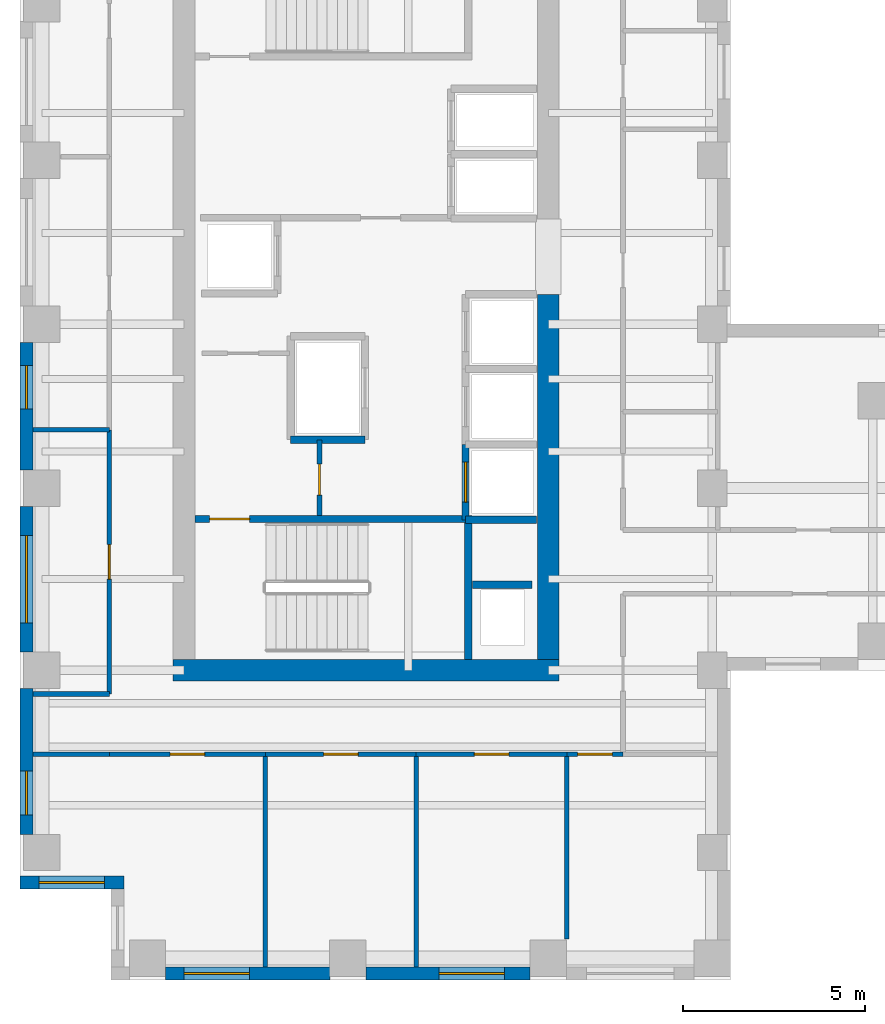
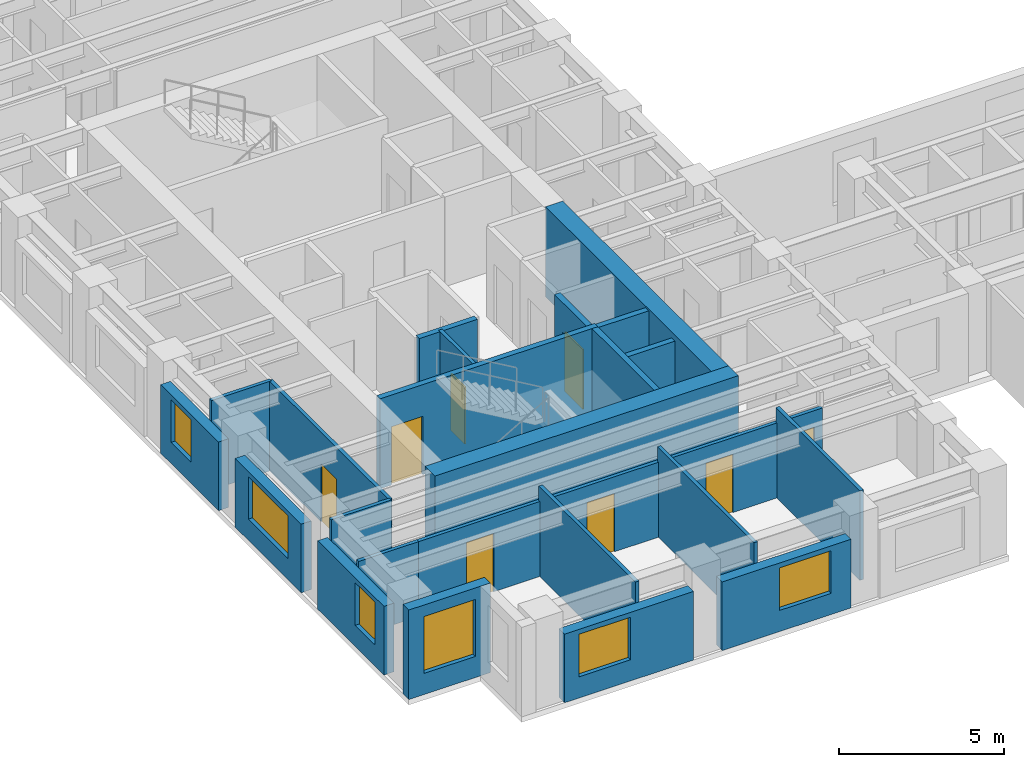
# One storey, part 4 of 12: 26 walls, 8 doors, 6 windows, 14 openings.
"""IFC4 building model written with IfcOpenShell, lengths in metres."""

from ifc_helpers import new_model, si_unit, direction, frame, frame_2d, origin, place, context, subcontext, project, spatial, rectangle, extrude, source, transform, mapped, material, layer, layer_set, type_object, element, fill, save


model = new_model("IFC4")

# Units and contexts
model_context = context("Model", 3, precision=1e-05, world=origin(), true_north=direction((0.0, 1.0)))
body_context = subcontext(model_context, "Body", "Model", "MODEL_VIEW")
ifc_project = project(units=[si_unit("LENGTHUNIT", "METRE"), si_unit("AREAUNIT", "SQUARE_METRE"), si_unit("VOLUMEUNIT", "CUBIC_METRE"), si_unit("PLANEANGLEUNIT", "RADIAN"), si_unit("MASSUNIT", "GRAM", prefix="KILO")], contexts=[model_context])

# Site, building, storey
site_placement = place(None, origin())
site = spatial("IfcSite", under=ifc_project, at=site_placement, CompositionType="ELEMENT")
building_placement = place(site_placement, origin())
building = spatial("IfcBuilding", under=site, at=building_placement, Name="Kharzan Plaza Tower", CompositionType="ELEMENT")
storey_placement = place(building_placement, frame((0.0, 0.0, 204.300048828125)))
storey = spatial("IfcBuildingStorey", under=building, at=storey_placement, Name="L55", CompositionType="ELEMENT", Elevation=204.300048828125)

# Wall, opening, window
ifc_material_1 = material(Name="Concrete C40/50", Category="concrete")
ifc_layer_1 = layer(ifc_material_1, 0.35009765625)
ifc_layer_set_1 = layer_set([ifc_layer_1], Name="Concrete C40/50")
wall_type_1 = type_object("IfcWallType", Name="WL-EXT-MAS-Z3", PredefinedType="SOLIDWALL", material=ifc_layer_set_1)
wall_1_placement = place(storey_placement, frame((0.175048828125, 17.501953125, 0.0), z_axis=(0.0, 0.0, 1.0), x_axis=(0.0, -1.0, 0.0)))
wall_1 = element("IfcWall", 1, at=wall_1_placement, inside=storey, type_object=wall_type_1, Name="L55 Masonry-Frame Exterior Wall 15", PredefinedType="SOLIDWALL", context=body_context, shape_type="SweptSolid", body=[
    extrude(rectangle(XDim=3.50390625, YDim=0.35009765625, at=frame_2d((1.751953125, 0.0))), origin(), (0.0, 0.0, 1.0), 2.531982421875),
])
opening_1_placement = place(wall_1_placement, frame((0.635986328125, 0.0, 0.780029296875)))
opening_1 = element("IfcOpeningElement", 2, at=opening_1_placement, cuts=wall_1, Name="Opening W3", PredefinedType="OPENING", context=body_context, shape_type="SweptSolid", body=[
    extrude(rectangle(XDim=1.199951171875, YDim=1.572021484375, at=frame_2d((0.60009765625, 0.7861328125))), frame((0.0, 0.18505859375, 0.0), z_axis=(0.0, -1.0, 0.0), x_axis=(1.0, 0.0, 0.0)), (0.0, 0.0, 1.0), 0.3701171875),
])
ifc_material_2 = material(Name="Low-E Double Glazing", Category="glass")
window_type_1 = type_object("IfcWindowType", Name="WN-REC-1200x2100", PartitioningType="SINGLE_PANEL", PredefinedType="WINDOW", material=ifc_material_2)
shared_shape_1 = source(origin(), body_context, "Body", "SweptSolid", [
    extrude(rectangle(XDim=1.199951171875, YDim=1.572021484375, at=frame_2d((0.60009765625, 0.7861328125))), frame((0.0, 0.030029296875, 0.0), z_axis=(0.0, -1.0, 0.0), x_axis=(1.0, 0.0, 0.0)), (0.0, 0.0, 1.0), 0.06005859375),
])
window_1_placement = place(opening_1_placement, origin())
window_1 = element("IfcWindow", 3, at=window_1_placement, inside=storey, type_object=window_type_1, Name="L55 Recessed Solar-Control Window 15-1", OverallHeight=1.572021484375, OverallWidth=1.199951171875, PartitioningType="SINGLE_PANEL", PredefinedType="WINDOW", context=body_context, shape_type="MappedRepresentation", body=[
    mapped(shared_shape_1, transform((0.0, 0.0, 0.0), x_axis=(1.0, 0.0, 0.0), y_axis=(0.0, 1.0, 0.0), z_axis=(0.0, 0.0, 1.0))),
])
fill(opening_1, window_1)

wall_2_placement = place(storey_placement, frame((0.175048828125, 13.001953125, 0.0), z_axis=(0.0, 0.0, 1.0), x_axis=(0.0, -1.0, 0.0)))
wall_2 = element("IfcWall", 4, at=wall_2_placement, inside=storey, type_object=wall_type_1, Name="L55 Masonry-Frame Exterior Wall 16", PredefinedType="SOLIDWALL", context=body_context, shape_type="SweptSolid", body=[
    extrude(rectangle(XDim=4.00390625, YDim=0.35009765625, at=frame_2d((2.001953125, 0.0))), origin(), (0.0, 0.0, 1.0), 2.531982421875),
])
opening_2_placement = place(wall_2_placement, frame((0.802001953125, 0.0, 0.780029296875)))
opening_2 = element("IfcOpeningElement", 5, at=opening_2_placement, cuts=wall_2, Name="Opening W2", PredefinedType="OPENING", context=body_context, shape_type="SweptSolid", body=[
    extrude(rectangle(XDim=2.39990234375, YDim=1.572021484375, at=frame_2d((1.199951171875, 0.7861328125))), frame((0.0, 0.18505859375, 0.0), z_axis=(0.0, -1.0, 0.0), x_axis=(1.0, 0.0, 0.0)), (0.0, 0.0, 1.0), 0.3701171875),
])
window_type_2 = type_object("IfcWindowType", Name="WN-REC-2400x2100", PartitioningType="SINGLE_PANEL", PredefinedType="WINDOW", material=ifc_material_2)
shared_shape_2 = source(origin(), body_context, "Body", "SweptSolid", [
    extrude(rectangle(XDim=2.39990234375, YDim=1.572021484375, at=frame_2d((1.199951171875, 0.7861328125))), frame((0.0, 0.030029296875, 0.0), z_axis=(0.0, -1.0, 0.0), x_axis=(1.0, 0.0, 0.0)), (0.0, 0.0, 1.0), 0.06005859375),
])
window_2_placement = place(opening_2_placement, origin())
window_2 = element("IfcWindow", 6, at=window_2_placement, inside=storey, type_object=window_type_2, Name="L55 Wide Recessed Solar-Control Window 16-1", OverallHeight=1.572021484375, OverallWidth=2.39990234375, PartitioningType="SINGLE_PANEL", PredefinedType="WINDOW", context=body_context, shape_type="MappedRepresentation", body=[
    mapped(shared_shape_2, transform((0.0, 0.0, 0.0), x_axis=(1.0, 0.0, 0.0), y_axis=(0.0, 1.0, 0.0), z_axis=(0.0, 0.0, 1.0))),
])
fill(opening_2, window_2)

wall_3_placement = place(storey_placement, frame((0.175048828125, 8.001953125, 0.0), z_axis=(0.0, 0.0, 1.0), x_axis=(0.0, -1.0, 0.0)))
wall_3 = element("IfcWall", 7, at=wall_3_placement, inside=storey, type_object=wall_type_1, Name="L55 Masonry-Frame Exterior Wall 17", PredefinedType="SOLIDWALL", context=body_context, shape_type="SweptSolid", body=[
    extrude(rectangle(XDim=4.00390625, YDim=0.35009765625, at=frame_2d((2.001953125, 0.0))), origin(), (0.0, 0.0, 1.0), 2.531982421875),
])
opening_3_placement = place(wall_3_placement, frame((2.26806640625, 0.0, 0.780029296875)))
opening_3 = element("IfcOpeningElement", 8, at=opening_3_placement, cuts=wall_3, Name="Opening W3", PredefinedType="OPENING", context=body_context, shape_type="SweptSolid", body=[
    extrude(rectangle(XDim=1.199951171875, YDim=1.572021484375, at=frame_2d((0.60009765625, 0.7861328125))), frame((0.0, 0.18505859375, 0.0), z_axis=(0.0, -1.0, 0.0), x_axis=(1.0, 0.0, 0.0)), (0.0, 0.0, 1.0), 0.3701171875),
])
window_3_placement = place(opening_3_placement, origin())
window_3 = element("IfcWindow", 9, at=window_3_placement, inside=storey, type_object=window_type_1, Name="L55 Recessed Solar-Control Window 17-1", OverallHeight=1.572021484375, OverallWidth=1.199951171875, PartitioningType="SINGLE_PANEL", PredefinedType="WINDOW", context=body_context, shape_type="MappedRepresentation", body=[
    mapped(shared_shape_1, transform((0.0, 0.0, 0.0), x_axis=(1.0, 0.0, 0.0), y_axis=(0.0, 1.0, 0.0), z_axis=(0.0, 0.0, 1.0))),
])
fill(opening_3, window_3)

wall_4_placement = place(storey_placement, frame((0.0, 2.675048828125, 0.0), z_axis=(0.0, 0.0, 1.0), x_axis=(1.0, 0.0, 0.0)))
wall_4 = element("IfcWall", 10, at=wall_4_placement, inside=storey, type_object=wall_type_1, Name="L55 Masonry-Frame Exterior Wall 18", PredefinedType="SOLIDWALL", context=body_context, shape_type="SweptSolid", body=[
    extrude(rectangle(XDim=2.85009765625, YDim=0.35009765625, at=frame_2d((1.425048828125, 0.0))), origin(), (0.0, 0.0, 1.0), 3.304931640625),
])
opening_4_placement = place(wall_4_placement, frame((0.52490234375, 0.0, 0.780029296875)))
opening_4 = element("IfcOpeningElement", 11, at=opening_4_placement, cuts=wall_4, Name="Opening W1", PredefinedType="OPENING", context=body_context, shape_type="SweptSolid", body=[
    extrude(rectangle(XDim=1.800048828125, YDim=2.10009765625, at=frame_2d((0.89990234375, 1.050048828125))), frame((0.0, 0.18505859375, 0.0), z_axis=(0.0, -1.0, 0.0), x_axis=(1.0, 0.0, 0.0)), (0.0, 0.0, 1.0), 0.3701171875),
])
window_type_3 = type_object("IfcWindowType", Name="WN-REC-1800x2100", PartitioningType="SINGLE_PANEL", PredefinedType="WINDOW", material=ifc_material_2)
shared_shape_3 = source(origin(), body_context, "Body", "SweptSolid", [
    extrude(rectangle(XDim=1.800048828125, YDim=2.10009765625, at=frame_2d((0.89990234375, 1.050048828125))), frame((0.0, 0.030029296875, 0.0), z_axis=(0.0, -1.0, 0.0), x_axis=(1.0, 0.0, 0.0)), (0.0, 0.0, 1.0), 0.06005859375),
])
window_4_placement = place(opening_4_placement, origin())
window_4 = element("IfcWindow", 12, at=window_4_placement, inside=storey, type_object=window_type_3, Name="L55 Recessed Solar-Control Window 18-1", OverallHeight=2.10009765625, OverallWidth=1.800048828125, PartitioningType="SINGLE_PANEL", PredefinedType="WINDOW", context=body_context, shape_type="MappedRepresentation", body=[
    mapped(shared_shape_3, transform((0.0, 0.0, 0.0), x_axis=(1.0, 0.0, 0.0), y_axis=(0.0, 1.0, 0.0), z_axis=(0.0, 0.0, 1.0))),
])
fill(opening_4, window_4)

wall_5_placement = place(storey_placement, frame((3.998046875, 0.175048828125, 0.0), z_axis=(0.0, 0.0, 1.0), x_axis=(1.0, 0.0, 0.0)))
wall_5 = element("IfcWall", 13, at=wall_5_placement, inside=storey, type_object=wall_type_1, Name="L55 Masonry-Frame Exterior Wall 21", PredefinedType="SOLIDWALL", context=body_context, shape_type="SweptSolid", body=[
    extrude(rectangle(XDim=4.50390625, YDim=0.35009765625, at=frame_2d((2.251953125, 0.0))), origin(), (0.0, 0.0, 1.0), 2.531982421875),
])
opening_5_placement = place(wall_5_placement, frame((0.50439453125, 0.0, 0.780029296875)))
opening_5 = element("IfcOpeningElement", 14, at=opening_5_placement, cuts=wall_5, Name="Opening W1", PredefinedType="OPENING", context=body_context, shape_type="SweptSolid", body=[
    extrude(rectangle(XDim=1.800048828125, YDim=1.572021484375, at=frame_2d((0.89990234375, 0.7861328125))), frame((0.0, 0.18505859375, 0.0), z_axis=(0.0, -1.0, 0.0), x_axis=(1.0, 0.0, 0.0)), (0.0, 0.0, 1.0), 0.3701171875),
])
shared_shape_4 = source(origin(), body_context, "Body", "SweptSolid", [
    extrude(rectangle(XDim=1.800048828125, YDim=1.572021484375, at=frame_2d((0.89990234375, 0.7861328125))), frame((0.0, 0.030029296875, 0.0), z_axis=(0.0, -1.0, 0.0), x_axis=(1.0, 0.0, 0.0)), (0.0, 0.0, 1.0), 0.06005859375),
])
window_5_placement = place(opening_5_placement, origin())
window_5 = element("IfcWindow", 15, at=window_5_placement, inside=storey, type_object=window_type_3, Name="L55 Recessed Solar-Control Window 21-1", OverallHeight=1.572021484375, OverallWidth=1.800048828125, PartitioningType="SINGLE_PANEL", PredefinedType="WINDOW", context=body_context, shape_type="MappedRepresentation", body=[
    mapped(shared_shape_4, transform((0.0, 0.0, 0.0), x_axis=(1.0, 0.0, 0.0), y_axis=(0.0, 1.0, 0.0), z_axis=(0.0, 0.0, 1.0))),
])
fill(opening_5, window_5)

wall_6_placement = place(storey_placement, frame((9.498046875, 0.175048828125, 0.0), z_axis=(0.0, 0.0, 1.0), x_axis=(1.0, 0.0, 0.0)))
wall_6 = element("IfcWall", 16, at=wall_6_placement, inside=storey, type_object=wall_type_1, Name="L55 Masonry-Frame Exterior Wall 22", PredefinedType="SOLIDWALL", context=body_context, shape_type="SweptSolid", body=[
    extrude(rectangle(XDim=4.50390625, YDim=0.35009765625, at=frame_2d((2.251953125, 0.0))), origin(), (0.0, 0.0, 1.0), 2.531982421875),
])
opening_6_placement = place(wall_6_placement, frame((2.005615234375, 0.0, 0.780029296875)))
opening_6 = element("IfcOpeningElement", 17, at=opening_6_placement, cuts=wall_6, Name="Opening W1", PredefinedType="OPENING", context=body_context, shape_type="SweptSolid", body=[
    extrude(rectangle(XDim=1.800048828125, YDim=1.572021484375, at=frame_2d((0.89990234375, 0.7861328125))), frame((0.0, 0.18505859375, 0.0), z_axis=(0.0, -1.0, 0.0), x_axis=(1.0, 0.0, 0.0)), (0.0, 0.0, 1.0), 0.3701171875),
])
window_6_placement = place(opening_6_placement, origin())
window_6 = element("IfcWindow", 18, at=window_6_placement, inside=storey, type_object=window_type_3, Name="L55 Recessed Solar-Control Window 22-1", OverallHeight=1.572021484375, OverallWidth=1.800048828125, PartitioningType="SINGLE_PANEL", PredefinedType="WINDOW", context=body_context, shape_type="MappedRepresentation", body=[
    mapped(shared_shape_4, transform((0.0, 0.0, 0.0), x_axis=(1.0, 0.0, 0.0), y_axis=(0.0, 1.0, 0.0), z_axis=(0.0, 0.0, 1.0))),
])
fill(opening_6, window_6)

# Wall, opening, door
ifc_material_3 = material(Name="Fire-Rated Gypsum Board Partition", Category="gypsum")
ifc_layer_2 = layer(ifc_material_3, 0.125)
ifc_layer_set_2 = layer_set([ifc_layer_2], Name="Fire-Rated Gypsum Board Partition")
wall_type_2 = type_object("IfcWallType", Name="WL-INT-PART-125", PredefinedType="PARTITIONING", material=ifc_layer_set_2)
wall_7_placement = place(storey_placement, frame((8.219970703125, 12.75, 0.0), z_axis=(0.0, 0.0, 1.0), x_axis=(0.0, 1.0, 0.0)))
wall_7 = element("IfcWall", 19, at=wall_7_placement, inside=storey, type_object=wall_type_2, Name="L55 Interior Partition CA-K1E", PredefinedType="PARTITIONING", context=body_context, shape_type="SweptSolid", body=[
    extrude(rectangle(XDim=2.070068359375, YDim=0.125, at=frame_2d((1.03515625, 0.0))), origin(), (0.0, 0.0, 1.0), 3.304931640625),
])
opening_7_placement = place(wall_7_placement, frame((0.56005859375, 0.0, 0.0)))
opening_7 = element("IfcOpeningElement", 20, at=opening_7_placement, cuts=wall_7, Name="Opening RD1", PredefinedType="OPENING", context=body_context, shape_type="SweptSolid", body=[
    extrude(rectangle(XDim=0.85009765625, YDim=2.10009765625, at=frame_2d((0.425048828125, 1.050048828125))), frame((0.0, 0.072509765625, 0.0), z_axis=(0.0, -1.0, 0.0), x_axis=(1.0, 0.0, 0.0)), (0.0, 0.0, 1.0), 0.14501953125),
])
ifc_material_4 = material(Name="Powder-Coated Fire-Rated Steel", Category="steel")
door_type_1 = type_object("IfcDoorType", Name="DR-RISER-900", OperationType="NOTDEFINED", PredefinedType="DOOR", material=ifc_material_4)
shared_shape_5 = source(origin(), body_context, "Body", "SweptSolid", [
    extrude(rectangle(XDim=0.85009765625, YDim=2.10009765625, at=frame_2d((0.425048828125, 1.050048828125))), frame((0.0, 0.02490234375, 0.0), z_axis=(0.0, -1.0, 0.0), x_axis=(1.0, 0.0, 0.0)), (0.0, 0.0, 1.0), 0.050048828125),
])
door_1_placement = place(opening_7_placement, origin())
door_1 = element("IfcDoor", 21, at=door_1_placement, inside=storey, type_object=door_type_1, Name="L55 Core Service Store Door", OperationType="SINGLE_SWING_RIGHT", OverallHeight=2.10009765625, OverallWidth=0.85009765625, PredefinedType="DOOR", context=body_context, shape_type="MappedRepresentation", body=[
    mapped(shared_shape_5, transform((0.0, 0.0, 0.0), x_axis=(1.0, 0.0, 0.0), y_axis=(0.0, 1.0, 0.0), z_axis=(0.0, 0.0, 1.0))),
])
fill(opening_7, door_1)

wall_8_placement = place(storey_placement, frame((2.449951171875, 6.199951171875, 0.0), z_axis=(0.0, 0.0, 1.0), x_axis=(1.0, 0.0, 0.0)))
wall_8 = element("IfcWall", 22, at=wall_8_placement, inside=storey, type_object=wall_type_2, Name="L55 Interior Partition SH-SS-1", PredefinedType="PARTITIONING", context=body_context, shape_type="SweptSolid", body=[
    extrude(rectangle(XDim=4.287109375, YDim=0.125, at=frame_2d((2.1435546875, 0.0))), origin(), (0.0, 0.0, 1.0), 2.76806640625),
])
opening_8_placement = place(wall_8_placement, frame((1.66845703125, 0.0, 0.0)))
opening_8 = element("IfcOpeningElement", 23, at=opening_8_placement, cuts=wall_8, Name="Opening OD1", PredefinedType="OPENING", context=body_context, shape_type="SweptSolid", body=[
    extrude(rectangle(XDim=0.949951171875, YDim=2.14990234375, at=frame_2d((0.47509765625, 1.074951171875))), frame((0.0, 0.072509765625, 0.0), z_axis=(0.0, -1.0, 0.0), x_axis=(1.0, 0.0, 0.0)), (0.0, 0.0, 1.0), 0.14501953125),
])
ifc_material_5 = material(Name="Acoustic Solid-Core Stained Oak", Category="timber")
door_type_2 = type_object("IfcDoorType", Name="DR-OFF-SINGLE", OperationType="NOTDEFINED", PredefinedType="DOOR", material=ifc_material_5)
shared_shape_6 = source(origin(), body_context, "Body", "SweptSolid", [
    extrude(rectangle(XDim=0.949951171875, YDim=2.14990234375, at=frame_2d((0.47509765625, 1.074951171875))), frame((0.0, 0.02490234375, 0.0), z_axis=(0.0, -1.0, 0.0), x_axis=(1.0, 0.0, 0.0)), (0.0, 0.0, 1.0), 0.050048828125),
])
door_2_placement = place(opening_8_placement, origin())
door_2 = element("IfcDoor", 24, at=door_2_placement, inside=storey, type_object=door_type_2, Name="L55 Staff Tea Pantry Door", OperationType="SINGLE_SWING_LEFT", OverallHeight=2.14990234375, OverallWidth=0.949951171875, PredefinedType="DOOR", context=body_context, shape_type="MappedRepresentation", body=[
    mapped(shared_shape_6, transform((0.0, 0.0, 0.0), x_axis=(1.0, 0.0, 0.0), y_axis=(0.0, 1.0, 0.0), z_axis=(0.0, 0.0, 1.0))),
])
fill(opening_8, door_2)

wall_9_placement = place(storey_placement, frame((6.737060546875, 6.199951171875, 0.0), z_axis=(0.0, 0.0, 1.0), x_axis=(1.0, 0.0, 0.0)))
wall_9 = element("IfcWall", 25, at=wall_9_placement, inside=storey, type_object=wall_type_2, Name="L55 Interior Partition SH-SS-2", PredefinedType="PARTITIONING", context=body_context, shape_type="SweptSolid", body=[
    extrude(rectangle(XDim=4.137939453125, YDim=0.125, at=frame_2d((2.06884765625, 0.0))), origin(), (0.0, 0.0, 1.0), 2.76806640625),
])
opening_9_placement = place(wall_9_placement, frame((1.593994140625, 0.0, 0.0)))
opening_9 = element("IfcOpeningElement", 26, at=opening_9_placement, cuts=wall_9, Name="Opening OD1", PredefinedType="OPENING", context=body_context, shape_type="SweptSolid", body=[
    extrude(rectangle(XDim=0.949951171875, YDim=2.14990234375, at=frame_2d((0.47509765625, 1.074951171875))), frame((0.0, 0.072509765625, 0.0), z_axis=(0.0, -1.0, 0.0), x_axis=(1.0, 0.0, 0.0)), (0.0, 0.0, 1.0), 0.14501953125),
])
door_3_placement = place(opening_9_placement, origin())
door_3 = element("IfcDoor", 27, at=door_3_placement, inside=storey, type_object=door_type_2, Name="L55 Design Collaboration Office Door", OperationType="SINGLE_SWING_RIGHT", OverallHeight=2.14990234375, OverallWidth=0.949951171875, PredefinedType="DOOR", context=body_context, shape_type="MappedRepresentation", body=[
    mapped(shared_shape_6, transform((0.0, 0.0, 0.0), x_axis=(1.0, 0.0, 0.0), y_axis=(0.0, 1.0, 0.0), z_axis=(0.0, 0.0, 1.0))),
])
fill(opening_9, door_3)

wall_10_placement = place(storey_placement, frame((10.875, 6.199951171875, 0.0), z_axis=(0.0, 0.0, 1.0), x_axis=(1.0, 0.0, 0.0)))
wall_10 = element("IfcWall", 28, at=wall_10_placement, inside=storey, type_object=wall_type_2, Name="L55 Interior Partition SH-SS-3", PredefinedType="PARTITIONING", context=body_context, shape_type="SweptSolid", body=[
    extrude(rectangle(XDim=4.136962890625, YDim=0.125, at=frame_2d((2.068359375, 0.0))), origin(), (0.0, 0.0, 1.0), 2.76806640625),
])
opening_10_placement = place(wall_10_placement, frame((1.593505859375, 0.0, 0.0)))
opening_10 = element("IfcOpeningElement", 29, at=opening_10_placement, cuts=wall_10, Name="Opening OD1", PredefinedType="OPENING", context=body_context, shape_type="SweptSolid", body=[
    extrude(rectangle(XDim=0.949951171875, YDim=2.14990234375, at=frame_2d((0.47509765625, 1.074951171875))), frame((0.0, 0.072509765625, 0.0), z_axis=(0.0, -1.0, 0.0), x_axis=(1.0, 0.0, 0.0)), (0.0, 0.0, 1.0), 0.14501953125),
])
door_4_placement = place(opening_10_placement, origin())
door_4 = element("IfcDoor", 30, at=door_4_placement, inside=storey, type_object=door_type_2, Name="L55 Systems Planning Office Door", OperationType="SINGLE_SWING_LEFT", OverallHeight=2.14990234375, OverallWidth=0.949951171875, PredefinedType="DOOR", context=body_context, shape_type="MappedRepresentation", body=[
    mapped(shared_shape_6, transform((0.0, 0.0, 0.0), x_axis=(1.0, 0.0, 0.0), y_axis=(0.0, 1.0, 0.0), z_axis=(0.0, 0.0, 1.0))),
])
fill(opening_10, door_4)

wall_11_placement = place(storey_placement, frame((15.011962890625, 6.199951171875, 0.0), z_axis=(0.0, 0.0, 1.0), x_axis=(1.0, 0.0, 0.0)))
wall_11 = element("IfcWall", 31, at=wall_11_placement, inside=storey, type_object=wall_type_2, Name="L55 Interior Partition SH-SS-4", PredefinedType="PARTITIONING", context=body_context, shape_type="SweptSolid", body=[
    extrude(rectangle(XDim=1.5380859375, YDim=0.125, at=frame_2d((0.76904296875, 0.0))), origin(), (0.0, 0.0, 1.0), 2.76806640625),
])
opening_11_placement = place(wall_11_placement, frame((0.2939453125, 0.0, 0.0)))
opening_11 = element("IfcOpeningElement", 32, at=opening_11_placement, cuts=wall_11, Name="Opening OD1", PredefinedType="OPENING", context=body_context, shape_type="SweptSolid", body=[
    extrude(rectangle(XDim=0.949951171875, YDim=2.14990234375, at=frame_2d((0.47509765625, 1.074951171875))), frame((0.0, 0.072509765625, 0.0), z_axis=(0.0, -1.0, 0.0), x_axis=(1.0, 0.0, 0.0)), (0.0, 0.0, 1.0), 0.14501953125),
])
door_5_placement = place(opening_11_placement, origin())
door_5 = element("IfcDoor", 33, at=door_5_placement, inside=storey, type_object=door_type_2, Name="L55 Open Office Workspace Door", OperationType="SINGLE_SWING_RIGHT", OverallHeight=2.14990234375, OverallWidth=0.949951171875, PredefinedType="DOOR", context=body_context, shape_type="MappedRepresentation", body=[
    mapped(shared_shape_6, transform((0.0, 0.0, 0.0), x_axis=(1.0, 0.0, 0.0), y_axis=(0.0, 1.0, 0.0), z_axis=(0.0, 0.0, 1.0))),
])
fill(opening_11, door_5)

wall_12_placement = place(storey_placement, frame((2.449951171875, 7.85009765625, 0.0), z_axis=(0.0, 0.0, 1.0), x_axis=(0.0, 1.0, 0.0)))
wall_12 = element("IfcWall", 34, at=wall_12_placement, inside=storey, type_object=wall_type_2, Name="L55 Interior Partition SH-WW-1", PredefinedType="PARTITIONING", context=body_context, shape_type="SweptSolid", body=[
    extrude(rectangle(XDim=7.25, YDim=0.125, at=frame_2d((3.625, 0.0))), origin(), (0.0, 0.0, 1.0), 3.304931640625),
])
opening_12_placement = place(wall_12_placement, frame((3.14990234375, 0.0, 0.0)))
opening_12 = element("IfcOpeningElement", 35, at=opening_12_placement, cuts=wall_12, Name="Opening OD1", PredefinedType="OPENING", context=body_context, shape_type="SweptSolid", body=[
    extrude(rectangle(XDim=0.949951171875, YDim=2.14990234375, at=frame_2d((0.47509765625, 1.074951171875))), frame((0.0, 0.072509765625, 0.0), z_axis=(0.0, -1.0, 0.0), x_axis=(1.0, 0.0, 0.0)), (0.0, 0.0, 1.0), 0.14501953125),
])
door_6_placement = place(opening_12_placement, origin())
door_6 = element("IfcDoor", 36, at=door_6_placement, inside=storey, type_object=door_type_2, Name="L55 Client Briefing Room Door", OperationType="SINGLE_SWING_RIGHT", OverallHeight=2.14990234375, OverallWidth=0.949951171875, PredefinedType="DOOR", context=body_context, shape_type="MappedRepresentation", body=[
    mapped(shared_shape_6, transform((0.0, 0.0, 0.0), x_axis=(1.0, 0.0, 0.0), y_axis=(0.0, 1.0, 0.0), z_axis=(0.0, 0.0, 1.0))),
])
fill(opening_12, door_6)

ifc_layer_3 = layer(ifc_material_1, 0.199951171875)
ifc_layer_set_3 = layer_set([ifc_layer_3], Name="Concrete C40/50")
wall_type_3 = type_object("IfcWallType", Name="WL-INT-SHAFT-200", PredefinedType="PARTITIONING", material=ifc_layer_set_3)
wall_13_placement = place(storey_placement, frame((12.22998046875, 12.6298828125, 0.0), z_axis=(0.0, 0.0, 1.0), x_axis=(0.0, 1.0, 0.0)))
wall_13 = element("IfcWall", 37, at=wall_13_placement, inside=storey, type_object=wall_type_3, Name="L55 Interior Partition SHF-PL-H1-W", PredefinedType="PARTITIONING", context=body_context, shape_type="SweptSolid", body=[
    extrude(rectangle(XDim=2.070068359375, YDim=0.199951171875, at=frame_2d((1.03515625, 0.0))), origin(), (0.0, 0.0, 1.0), 3.304931640625),
])
opening_13_placement = place(wall_13_placement, frame((0.485107421875, 0.0, 0.0)))
opening_13 = element("IfcOpeningElement", 38, at=opening_13_placement, cuts=wall_13, Name="Opening LD", PredefinedType="OPENING", context=body_context, shape_type="SweptSolid", body=[
    extrude(rectangle(XDim=1.10009765625, YDim=2.199951171875, at=frame_2d((0.550048828125, 1.10009765625))), frame((0.0, 0.10986328125, 0.0), z_axis=(0.0, -1.0, 0.0), x_axis=(1.0, 0.0, 0.0)), (0.0, 0.0, 1.0), 0.219970703125),
])
ifc_material_6 = material(Name="Brushed Stainless Steel", Category="steel")
door_type_3 = type_object("IfcDoorType", Name="DR-LIFT-SLIDE", OperationType="SLIDING_TO_LEFT", PredefinedType="DOOR", material=ifc_material_6)
shared_shape_7 = source(origin(), body_context, "Body", "SweptSolid", [
    extrude(rectangle(XDim=1.10009765625, YDim=2.199951171875, at=frame_2d((0.550048828125, 1.10009765625))), frame((0.0, 0.02490234375, 0.0), z_axis=(0.0, -1.0, 0.0), x_axis=(1.0, 0.0, 0.0)), (0.0, 0.0, 1.0), 0.050048828125),
])
door_7_placement = place(opening_13_placement, origin())
door_7 = element("IfcDoor", 39, at=door_7_placement, inside=storey, type_object=door_type_3, Name="L55 High-Rise Passenger Lift PL-H1 Sliding Landing Door", OperationType="SLIDING_TO_LEFT", OverallHeight=2.199951171875, OverallWidth=1.10009765625, PredefinedType="DOOR", context=body_context, shape_type="MappedRepresentation", body=[
    mapped(shared_shape_7, transform((0.0, 0.0, 0.0), x_axis=(1.0, 0.0, 0.0), y_axis=(0.0, 1.0, 0.0), z_axis=(0.0, 0.0, 1.0))),
])
fill(opening_13, door_7)

ifc_material_7 = material(Name="Concrete C50/60", Category="concrete")
ifc_layer_4 = layer(ifc_material_7, 0.199951171875)
ifc_layer_set_4 = layer_set([ifc_layer_4], Name="Concrete C50/60")
wall_type_4 = type_object("IfcWallType", Name="WL-SHAFT-RC200", PredefinedType="SHEAR", material=ifc_layer_set_4)
wall_14_placement = place(storey_placement, frame((4.802001953125, 12.655029296875, 0.0), z_axis=(0.0, 0.0, 1.0), x_axis=(1.0, 0.0, 0.0)))
wall_14 = element("IfcWall", 40, at=wall_14_placement, inside=storey, type_object=wall_type_4, Name="L55 Stair ST-1 North RC Shaft Wall", PredefinedType="SHEAR", context=body_context, shape_type="SweptSolid", body=[
    extrude(rectangle(XDim=7.60302734375, YDim=0.199951171875, at=frame_2d((3.801513671875, 0.0))), origin(), (0.0, 0.0, 1.0), 3.320068359375),
])
opening_14_placement = place(wall_14_placement, frame((0.39990234375, 0.0, 0.0)))
opening_14 = element("IfcOpeningElement", 41, at=opening_14_placement, cuts=wall_14, Name="Opening SD1", PredefinedType="OPENING", context=body_context, shape_type="SweptSolid", body=[
    extrude(rectangle(XDim=1.10009765625, YDim=2.14990234375, at=frame_2d((0.550048828125, 1.074951171875))), frame((0.0, 0.10986328125, 0.0), z_axis=(0.0, -1.0, 0.0), x_axis=(1.0, 0.0, 0.0)), (0.0, 0.0, 1.0), 0.219970703125),
])
ifc_material_8 = material(Name="Fire-Rated Hollow Galvanized Steel", Category="steel")
door_type_4 = type_object("IfcDoorType", Name="DR-STAIR-FD120", OperationType="NOTDEFINED", PredefinedType="DOOR", material=ifc_material_8)
shared_shape_8 = source(origin(), body_context, "Body", "SweptSolid", [
    extrude(rectangle(XDim=1.10009765625, YDim=2.14990234375, at=frame_2d((0.550048828125, 1.074951171875))), frame((0.0, 0.02490234375, 0.0), z_axis=(0.0, -1.0, 0.0), x_axis=(1.0, 0.0, 0.0)), (0.0, 0.0, 1.0), 0.050048828125),
])
door_8_placement = place(opening_14_placement, origin())
door_8 = element("IfcDoor", 42, at=door_8_placement, inside=storey, type_object=door_type_4, Name="L55 Stair ST-1 Fire Exit Door", OperationType="SINGLE_SWING_RIGHT", OverallHeight=2.14990234375, OverallWidth=1.10009765625, PredefinedType="DOOR", context=body_context, shape_type="MappedRepresentation", body=[
    mapped(shared_shape_8, transform((0.0, 0.0, 0.0), x_axis=(1.0, 0.0, 0.0), y_axis=(0.0, 1.0, 0.0), z_axis=(0.0, 0.0, 1.0))),
])
fill(opening_14, door_8)

# Walls
shared_shape_9 = source(origin(), body_context, "Body", "SweptSolid", [
    extrude(rectangle(XDim=2.097900390625, YDim=0.125, at=frame_2d((1.048828125, 0.0))), origin(), (0.0, 0.0, 1.0), 2.76806640625),
])
wall_15_placement = place(storey_placement, frame((0.35205078125, 6.199951171875, 0.0), z_axis=(0.0, 0.0, 1.0), x_axis=(1.0, 0.0, 0.0)))
element("IfcWall", 43, at=wall_15_placement, inside=storey, type_object=wall_type_2, Name="L55 Interior Partition SH-SS-EXT", PredefinedType="PARTITIONING", context=body_context, shape_type="MappedRepresentation", body=[
    mapped(shared_shape_9, transform((0.0, 0.0, 0.0), x_axis=(1.0, 0.0, 0.0), y_axis=(0.0, 1.0, 0.0), z_axis=(0.0, 0.0, 1.0))),
])
shared_shape_10 = source(origin(), body_context, "Body", "SweptSolid", [
    extrude(rectangle(XDim=5.847900390625, YDim=0.125, at=frame_2d((2.923828125, 0.0))), origin(), (0.0, 0.0, 1.0), 3.304931640625),
])
for number, where, z_axis, x_axis, name in (
    (44, (6.737060546875, 0.35205078125, 0.0), (0.0, 0.0, 1.0), (0.0, 1.0, 0.0), "L55 Interior Partition SH-SV-1"),
    (45, (10.875, 0.35205078125, 0.0), (0.0, 0.0, 1.0), (0.0, 1.0, 0.0), "L55 Interior Partition SH-SV-2"),
):
    element("IfcWall", number, at=place(storey_placement, frame(where, z_axis=z_axis, x_axis=x_axis)), inside=storey, type_object=wall_type_2, Name=name, PredefinedType="PARTITIONING", context=body_context, shape_type="MappedRepresentation", body=[
        mapped(shared_shape_10, transform((0.0, 0.0, 0.0), x_axis=(1.0, 0.0, 0.0), y_axis=(0.0, 1.0, 0.0), z_axis=(0.0, 0.0, 1.0))),
    ])
shared_shape_11 = source(origin(), body_context, "Body", "SweptSolid", [
    extrude(rectangle(XDim=2.0400390625, YDim=0.199951171875, at=frame_2d((1.02001953125, 0.0))), origin(), (0.0, 0.0, 1.0), 3.304931640625),
])
wall_16_placement = place(storey_placement, frame((7.429931640625, 14.830078125, 0.0), z_axis=(0.0, 0.0, 1.0), x_axis=(1.0, 0.0, 0.0)))
element("IfcWall", 46, at=wall_16_placement, inside=storey, type_object=wall_type_3, Name="L55 Interior Partition SHF-SVL-1-S", PredefinedType="PARTITIONING", context=body_context, shape_type="MappedRepresentation", body=[
    mapped(shared_shape_11, transform((0.0, 0.0, 0.0), x_axis=(1.0, 0.0, 0.0), y_axis=(0.0, 1.0, 0.0), z_axis=(0.0, 0.0, 1.0))),
])
shared_shape_12 = source(origin(), body_context, "Body", "SweptSolid", [
    extrude(rectangle(XDim=2.097900390625, YDim=0.125, at=frame_2d((1.048828125, 0.0))), origin(), (0.0, 0.0, 1.0), 3.304931640625),
])
for number, where, z_axis, x_axis, name in (
    (47, (0.35205078125, 7.85009765625, 0.0), (0.0, 0.0, 1.0), (1.0, 0.0, 0.0), "L55 Interior Partition SH-RWS0"),
    (48, (0.35205078125, 15.10009765625, 0.0), (0.0, 0.0, 1.0), (1.0, 0.0, 0.0), "L55 Interior Partition SH-WH-1"),
):
    element("IfcWall", number, at=place(storey_placement, frame(where, z_axis=z_axis, x_axis=x_axis)), inside=storey, type_object=wall_type_2, Name=name, PredefinedType="PARTITIONING", context=body_context, shape_type="MappedRepresentation", body=[
        mapped(shared_shape_12, transform((0.0, 0.0, 0.0), x_axis=(1.0, 0.0, 0.0), y_axis=(0.0, 1.0, 0.0), z_axis=(0.0, 0.0, 1.0))),
    ])
shared_shape_13 = source(origin(), body_context, "Body", "SweptSolid", [
    extrude(rectangle(XDim=1.630126953125, YDim=0.199951171875, at=frame_2d((0.81494140625, 0.0))), origin(), (0.0, 0.0, 1.0), 3.304931640625),
])
wall_17_placement = place(storey_placement, frame((12.419921875, 10.85009765625, 0.0), z_axis=(0.0, 0.0, 1.0), x_axis=(1.0, 0.0, 0.0)))
element("IfcWall", 49, at=wall_17_placement, inside=storey, type_object=wall_type_3, Name="L55 Interior Partition CA-RSRA-N", PredefinedType="PARTITIONING", context=body_context, shape_type="MappedRepresentation", body=[
    mapped(shared_shape_13, transform((0.0, 0.0, 0.0), x_axis=(1.0, 0.0, 0.0), y_axis=(0.0, 1.0, 0.0), z_axis=(0.0, 0.0, 1.0))),
])
ifc_layer_5 = layer(ifc_material_7, 0.60009765625)
ifc_layer_set_5 = layer_set([ifc_layer_5], Name="Concrete C50/60")
wall_type_5 = type_object("IfcWallType", Name="WL-CORE-600", PredefinedType="SHEAR", material=ifc_layer_set_5)
shared_shape_14 = source(origin(), body_context, "Body", "SweptSolid", [
    extrude(rectangle(XDim=10.02001953125, YDim=0.60009765625, at=frame_2d((5.010009765625, 0.0))), origin(), (0.0, 0.0, 1.0), 3.320068359375),
])
wall_18_placement = place(storey_placement, frame((14.5, 8.800048828125, 0.0), z_axis=(0.0, 0.0, 1.0), x_axis=(0.0, 1.0, 0.0)))
element("IfcWall", 50, at=wall_18_placement, inside=storey, type_object=wall_type_5, Name="L55 CORE-A east shear pier 1", PredefinedType="SHEAR", context=body_context, shape_type="MappedRepresentation", body=[
    mapped(shared_shape_14, transform((0.0, 0.0, 0.0), x_axis=(1.0, 0.0, 0.0), y_axis=(0.0, 1.0, 0.0), z_axis=(0.0, 0.0, 1.0))),
])
shared_shape_15 = source(origin(), body_context, "Body", "SweptSolid", [
    extrude(rectangle(XDim=10.60009765625, YDim=0.60009765625, at=frame_2d((5.300048828125, 0.0))), origin(), (0.0, 0.0, 1.0), 3.320068359375),
])
wall_19_placement = place(storey_placement, frame((4.199951171875, 8.5, 0.0), z_axis=(0.0, 0.0, 1.0), x_axis=(1.0, 0.0, 0.0)))
element("IfcWall", 51, at=wall_19_placement, inside=storey, type_object=wall_type_5, Name="L55 CORE-A south RC shear wall", PredefinedType="SHEAR", context=body_context, shape_type="MappedRepresentation", body=[
    mapped(shared_shape_15, transform((0.0, 0.0, 0.0), x_axis=(1.0, 0.0, 0.0), y_axis=(0.0, 1.0, 0.0), z_axis=(0.0, 0.0, 1.0))),
])
shared_shape_16 = source(origin(), body_context, "Body", "SweptSolid", [
    extrude(rectangle(XDim=5.079833984375, YDim=0.125, at=frame_2d((2.5400390625, 0.0))), origin(), (0.0, 0.0, 1.0), 3.304931640625),
])
wall_20_placement = place(storey_placement, frame((15.011962890625, 1.1201171875, 0.0), z_axis=(0.0, 0.0, 1.0), x_axis=(0.0, 1.0, 0.0)))
element("IfcWall", 52, at=wall_20_placement, inside=storey, type_object=wall_type_2, Name="L55 Interior Partition SH-SV-3", PredefinedType="PARTITIONING", context=body_context, shape_type="MappedRepresentation", body=[
    mapped(shared_shape_16, transform((0.0, 0.0, 0.0), x_axis=(1.0, 0.0, 0.0), y_axis=(0.0, 1.0, 0.0), z_axis=(0.0, 0.0, 1.0))),
])
shared_shape_17 = source(origin(), body_context, "Body", "SweptSolid", [
    extrude(rectangle(XDim=1.93994140625, YDim=0.199951171875, at=frame_2d((0.969970703125, 0.0))), origin(), (0.0, 0.0, 1.0), 3.304931640625),
])
wall_21_placement = place(storey_placement, frame((12.22998046875, 12.6298828125, 0.0), z_axis=(0.0, 0.0, 1.0), x_axis=(1.0, 0.0, 0.0)))
element("IfcWall", 53, at=wall_21_placement, inside=storey, type_object=wall_type_3, Name="L55 Interior Partition SHF-PL-H1-S", PredefinedType="PARTITIONING", context=body_context, shape_type="MappedRepresentation", body=[
    mapped(shared_shape_17, transform((0.0, 0.0, 0.0), x_axis=(1.0, 0.0, 0.0), y_axis=(0.0, 1.0, 0.0), z_axis=(0.0, 0.0, 1.0))),
])
shared_shape_18 = source(origin(), body_context, "Body", "SweptSolid", [
    extrude(rectangle(XDim=3.7529296875, YDim=0.199951171875, at=frame_2d((1.87646484375, 0.0))), origin(), (0.0, 0.0, 1.0), 3.320068359375),
])
wall_22_placement = place(storey_placement, frame((12.304931640625, 8.802001953125, 0.0), z_axis=(0.0, 0.0, 1.0), x_axis=(0.0, 1.0, 0.0)))
element("IfcWall", 54, at=wall_22_placement, inside=storey, type_object=wall_type_4, Name="L55 Stair ST-1 East RC Shaft Wall", PredefinedType="SHEAR", context=body_context, shape_type="MappedRepresentation", body=[
    mapped(shared_shape_18, transform((0.0, 0.0, 0.0), x_axis=(1.0, 0.0, 0.0), y_axis=(0.0, 1.0, 0.0), z_axis=(0.0, 0.0, 1.0))),
])

save(model, "model.ifc")
